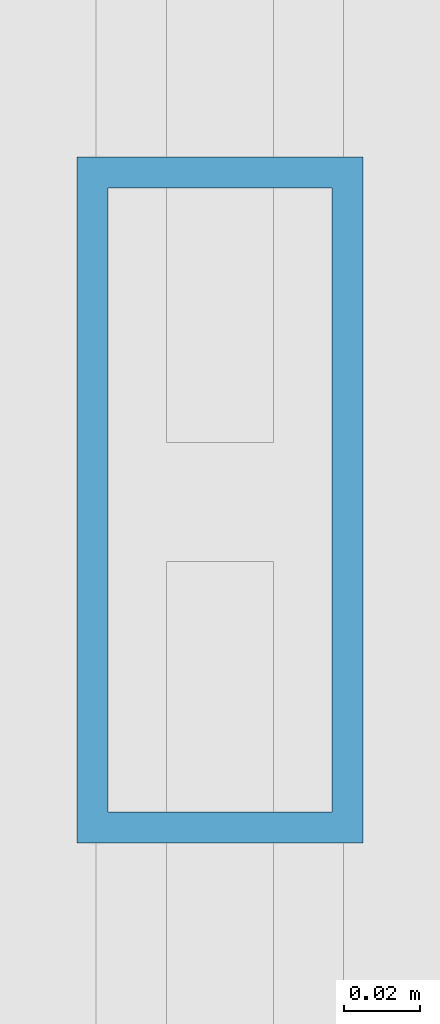
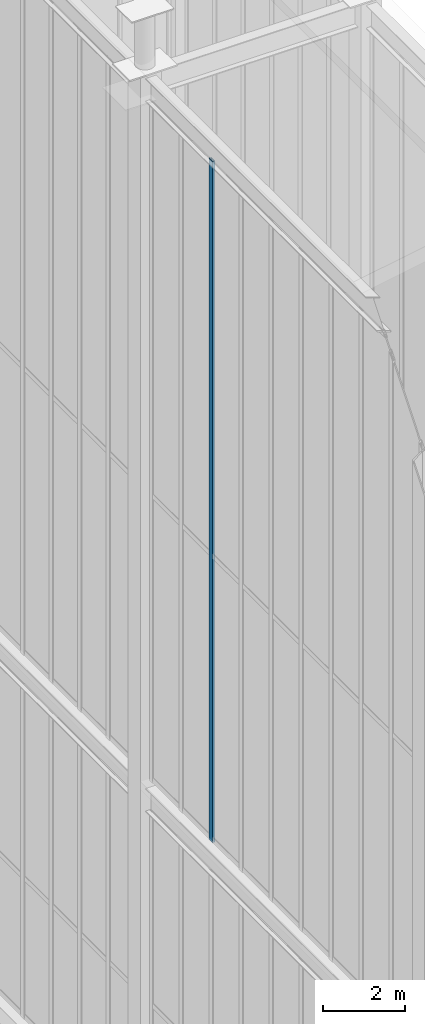
# One storey, part 67 of 135: 1 member, 1 element without a shape of its own.
"""IFC4 building model written with IfcOpenShell, lengths in metres."""

import ifcopenshell
import ifcopenshell.guid

model = None  # the IFC model being written
_history = None  # IfcOwnerHistory: only IFC2X3 demands one
_inside = {}  # id of a spatial element -> (the spatial element, [elements in it])
_under = {}  # id of a project, library or spatial element -> (it, [spatial elements below it])
_declared = {}  # id of a project -> (the project, [libraries it declares])
_typed = {}  # id of a type object -> (the type object, [elements of that type])
_made_of = {}  # id of a material, layer set ... -> (it, [elements and type objects made of it])


def new_model(schema):
    """Start an empty IFC model of exactly this schema.

    Asked for "IFC4X3", IfcOpenShell would pick the latest addendum, in which some entities
    have other attributes; the version numbers below select the first issue.
    IFC2X3 requires an IfcOwnerHistory on every rooted entity: one is made here for all.
    """
    global model, _history
    if schema == "IFC4X3":
        model = ifcopenshell.file(schema_version=(4, 3, 0, 0))
    else:
        model = ifcopenshell.file(schema=schema)
    _inside.clear()
    _under.clear()
    _declared.clear()
    _typed.clear()
    _made_of.clear()
    _history = None
    if model.schema == "IFC2X3":
        org = make("IfcOrganization", Name="unknown")
        user = make(
            "IfcPersonAndOrganization",
            ThePerson=make("IfcPerson", FamilyName="unknown"),
            TheOrganization=org,
        )
        app = make(
            "IfcApplication",
            ApplicationDeveloper=org,
            Version="unknown",
            ApplicationFullName="unknown",
            ApplicationIdentifier="unknown",
        )
        _history = make(
            "IfcOwnerHistory",
            OwningUser=user,
            OwningApplication=app,
            ChangeAction="ADDED",
            CreationDate=0,
        )
    return model


def make(cls, **values):
    """One entity of the class cls with the attributes given. An attribute that is None is left unset."""
    return model.create_entity(
        cls, **{name: value for name, value in values.items() if value is not None}
    )


def rooted(cls, **values):
    """An entity with a GlobalId (a new one), such as an element, a storey or a relation."""
    return make(cls, GlobalId=ifcopenshell.guid.new(), OwnerHistory=_history, **values)


def si_unit(unit_type, name, prefix=None):
    """IfcSIUnit, for example si_unit("LENGTHUNIT", "METRE", prefix="MILLI")."""
    return make("IfcSIUnit", UnitType=unit_type, Prefix=prefix, Name=name)


def assignment(units):
    """IfcUnitAssignment: the units of a project."""
    return None if units is None else make("IfcUnitAssignment", Units=units)


def point(xyz):
    """IfcCartesianPoint."""
    return None if xyz is None else make("IfcCartesianPoint", Coordinates=xyz)


def direction(xyz):
    """IfcDirection."""
    return None if xyz is None else make("IfcDirection", DirectionRatios=xyz)


def frame(location, z_axis=None, x_axis=None):
    """IfcAxis2Placement3D, a coordinate frame: its origin and axes. An axis left out is left unset."""
    return make(
        "IfcAxis2Placement3D",
        Location=point(location),
        Axis=direction(z_axis),
        RefDirection=direction(x_axis),
    )


def frame_2d(location, x_axis=None):
    """IfcAxis2Placement2D, a coordinate frame in the plane: its origin and x axis."""
    return make(
        "IfcAxis2Placement2D", Location=point(location), RefDirection=direction(x_axis)
    )


def origin():
    """The frame at (0, 0, 0) with its axes left unset."""
    return frame((0.0, 0.0, 0.0))


def origin_2d():
    """The frame at (0, 0) in the plane with its x axis left unset."""
    return frame_2d((0.0, 0.0))


def place(relative_to, where):
    """IfcLocalPlacement: puts the frame where relative to a parent placement (None: the world)."""
    return make(
        "IfcLocalPlacement", PlacementRelTo=relative_to, RelativePlacement=where
    )


def context(
    kind, dimensions, precision=None, world=None, true_north=None, identifier=None
):
    """IfcGeometricRepresentationContext, for example the 3D "Model" context."""
    return make(
        "IfcGeometricRepresentationContext",
        ContextIdentifier=identifier,
        ContextType=kind,
        CoordinateSpaceDimension=dimensions,
        Precision=precision,
        WorldCoordinateSystem=world,
        TrueNorth=true_north,
    )


def subcontext(parent, identifier, kind, view, scale=None):
    """IfcGeometricRepresentationSubContext, for example "Body" below "Model"."""
    return make(
        "IfcGeometricRepresentationSubContext",
        ContextIdentifier=identifier,
        ContextType=kind,
        ParentContext=parent,
        TargetScale=scale,
        TargetView=view,
    )


def project(units=None, contexts=None):
    """IfcProject with its units and contexts."""
    return rooted(
        "IfcProject",
        Name="project",
        RepresentationContexts=contexts,
        UnitsInContext=assignment(units),
    )


def spatial(cls, under=None, at=None, **own):
    """A site, building, storey or space (cls), placed at a placement, below another one or the project."""
    s = rooted(cls, ObjectPlacement=at, **own)
    if under is not None:
        _under.setdefault(under.id(), (under, []))[1].append(s)
    return s


def profile(cls, at=None, kind="AREA", **sizes):
    """A parametric profile (cls). Its sizes go by their IFC names, for example OverallWidth=200.0."""
    return make(cls, ProfileType=kind, Position=at, **sizes)


def hollow_rectangle(**sizes):
    """IfcRectangleHollowProfileDef."""
    return profile("IfcRectangleHollowProfileDef", **sizes)


def extrude(swept, where, along, depth):
    """IfcExtrudedAreaSolid: the profile swept, set in the frame where, extruded along a direction by depth."""
    return make(
        "IfcExtrudedAreaSolid",
        SweptArea=swept,
        Position=where,
        ExtrudedDirection=direction(along),
        Depth=depth,
    )


def shape(context_of_items, identifier, shape_type, items):
    """IfcShapeRepresentation: the items that make up one representation, for example the "Body"."""
    return make(
        "IfcShapeRepresentation",
        ContextOfItems=context_of_items,
        RepresentationIdentifier=identifier,
        RepresentationType=shape_type,
        Items=items,
    )


def source(mapping_origin, context_of_items, identifier, shape_type, items):
    """IfcRepresentationMap: a shape defined once, which mapped items show again and again."""
    return make(
        "IfcRepresentationMap",
        MappingOrigin=mapping_origin,
        MappedRepresentation=shape(context_of_items, identifier, shape_type, items),
    )


def transform(
    local_origin,
    x_axis=None,
    y_axis=None,
    z_axis=None,
    scale=None,
    scale2=None,
    scale3=None,
    uniform=True,
):
    """IfcCartesianTransformationOperator3D, or its non-uniform kind. x_axis, y_axis, z_axis: its Axis1, 2, 3."""
    if uniform:
        return make(
            "IfcCartesianTransformationOperator3D",
            Axis1=direction(x_axis),
            Axis2=direction(y_axis),
            LocalOrigin=point(local_origin),
            Scale=scale,
            Axis3=direction(z_axis),
        )
    return make(
        "IfcCartesianTransformationOperator3DnonUniform",
        Axis1=direction(x_axis),
        Axis2=direction(y_axis),
        LocalOrigin=point(local_origin),
        Scale=scale,
        Axis3=direction(z_axis),
        Scale2=scale2,
        Scale3=scale3,
    )


def mapped(mapping_source, mapping_target):
    """IfcMappedItem: shows the shape of a source again, moved by a transform."""
    return make(
        "IfcMappedItem", MappingSource=mapping_source, MappingTarget=mapping_target
    )


def material(Name=None, Category=None):
    """IfcMaterial."""
    return make("IfcMaterial", Name=Name, Category=Category)


def layer(
    of_material, thickness, ventilated=None, Name=None, Category=None, Priority=None
):
    """IfcMaterialLayer: one layer of a wall or slab, of a material (None: an air gap)."""
    return make(
        "IfcMaterialLayer",
        Material=of_material,
        LayerThickness=thickness,
        IsVentilated=ventilated,
        Name=Name,
        Category=Category,
        Priority=Priority,
    )


def layer_set(layers, Name=None):
    """IfcMaterialLayerSet."""
    return make("IfcMaterialLayerSet", MaterialLayers=layers, LayerSetName=Name)


def material_profile(
    of_material, cross_section, Name=None, Category=None, Priority=None
):
    """IfcMaterialProfile: a cross section and its material."""
    return make(
        "IfcMaterialProfile",
        Name=Name,
        Material=of_material,
        Profile=cross_section,
        Priority=Priority,
        Category=Category,
    )


def profile_set(profiles, Name=None, composite=None):
    """IfcMaterialProfileSet."""
    return make(
        "IfcMaterialProfileSet",
        Name=Name,
        MaterialProfiles=profiles,
        CompositeProfile=composite,
    )


def made_of(thing, what):
    """Note that an element or type object is made of a material, layer set ...; save() writes the relation."""
    if what is not None:
        _made_of.setdefault(what.id(), (what, []))[1].append(thing)
    return thing


def type_object(cls, material=None, **own):
    """A type object (cls), such as IfcWallType, which elements share."""
    return made_of(rooted(cls, **own), material)


def element(
    cls,
    number,
    at=None,
    inside=None,
    cuts=None,
    type_object=None,
    material=None,
    context=None,
    identifier="Body",
    shape_type=None,
    held_by="IfcProductDefinitionShape",
    body=None,
    shapes=None,
    **own,
):
    """One element of the class cls, such as IfcWall. Its Tag is "e" and its number.

    at: its placement. inside: the storey or other place that contains it. cuts: it is an
    opening in that element (IfcRelVoidsElement). A single representation is given by context,
    identifier, shape_type and body (its items); several are given by shapes. held_by: the class
    of the entity that holds the representations. save() writes the other relations.
    """
    e = rooted(cls, Tag="e%d" % number, ObjectPlacement=at, **own)
    if body is not None:
        shapes = [shape(context, identifier, shape_type, body)]
    if shapes is not None:
        e.Representation = make(held_by, Representations=shapes)
    if inside is not None:
        _inside.setdefault(inside.id(), (inside, []))[1].append(e)
    if cuts is not None:
        rooted(
            "IfcRelVoidsElement", RelatingBuildingElement=cuts, RelatedOpeningElement=e
        )
    if type_object is not None:
        _typed.setdefault(type_object.id(), (type_object, []))[1].append(e)
    return made_of(e, material)


def aggregate(whole, parts):
    """IfcRelAggregates: a whole, such as a stair, and the parts it consists of."""
    return rooted("IfcRelAggregates", RelatingObject=whole, RelatedObjects=parts)


def save(model, path):
    """Write the relations noted so far, then the file.

    IfcRelAggregates (storeys below a building ...), IfcRelContainedInSpatialStructure (elements
    in a storey), IfcRelDefinesByType, IfcRelAssociatesMaterial and IfcRelDeclares: one each for
    every whole, place, type object, material and project.
    """
    for whole, parts in _under.values():
        aggregate(whole, parts)
    for where, things in _inside.values():
        rooted(
            "IfcRelContainedInSpatialStructure",
            RelatedElements=things,
            RelatingStructure=where,
        )
    for kind, things in _typed.values():
        rooted("IfcRelDefinesByType", RelatedObjects=things, RelatingType=kind)
    for what, things in _made_of.values():
        rooted("IfcRelAssociatesMaterial", RelatedObjects=things, RelatingMaterial=what)
    for by, libraries in _declared.values():
        rooted("IfcRelDeclares", RelatingContext=by, RelatedDefinitions=libraries)
    model.write(path)


model = new_model("IFC4")

# Units and contexts
model_context = context("Model", 3, precision=1e-05, world=origin(), true_north=direction((0.0, 1.0)))
body_context = subcontext(model_context, "Body", "Model", "MODEL_VIEW")
ifc_project = project(units=[si_unit("LENGTHUNIT", "METRE"), si_unit("AREAUNIT", "SQUARE_METRE"), si_unit("VOLUMEUNIT", "CUBIC_METRE"), si_unit("PLANEANGLEUNIT", "RADIAN"), si_unit("MASSUNIT", "GRAM", prefix="KILO")], contexts=[model_context])

# Site, building, storey
site_placement = place(None, origin())
site = spatial("IfcSite", under=ifc_project, at=site_placement, CompositionType="ELEMENT")
building_placement = place(site_placement, origin())
building = spatial("IfcBuilding", under=site, at=building_placement, Name="Giltprow Tower", CompositionType="ELEMENT")
storey_placement = place(building_placement, frame((0.0, 0.0, 352.699951171875)))
storey = spatial("IfcBuildingStorey", under=building, at=storey_placement, Name="L92", CompositionType="ELEMENT", Elevation=352.699951171875)

# Curtain wall, member
ifc_material = material(Name="Anodized bronze", Category="metal")
ifc_layer = layer(ifc_material, 0.179931640625, Name="Anodized bronze")
ifc_layer_set = layer_set([ifc_layer], Name="Anodized bronze")
curtain_wall_type = type_object("IfcCurtainWallType", Name="CW-CROWN-LANTERN", PredefinedType="NOTDEFINED", material=ifc_layer_set)
curtain_wall_placement = place(storey_placement, origin())
curtain_wall = element("IfcCurtainWall", 1, at=curtain_wall_placement, inside=storey, type_object=curtain_wall_type, Name="Crown East Upper Lantern Glazing 6", PredefinedType="NOTDEFINED")
ifc_material_profile = material_profile(ifc_material, hollow_rectangle(XDim=0.074951171875, YDim=0.179931640625, WallThickness=0.008056640625, at=origin_2d()), Name="RHS 180x75x8")
ifc_profile_set = profile_set([ifc_material_profile], Name="Anodized bronze")
member_type = type_object("IfcMemberType", Name="CW-MULLION-180x75", PredefinedType="MULLION", material=ifc_profile_set)
shared_shape = source(origin(), body_context, "Body", "SweptSolid", [
    extrude(hollow_rectangle(XDim=0.074951171875, YDim=0.179931640625, WallThickness=0.008056640625, at=origin_2d()), origin(), (0.0, 0.0, 1.0), 20.406005859375),
])
member_placement = place(storey_placement, frame((44.300048828125, 34.156005859375, 17.25), z_axis=(0.0, 0.0, 1.0), x_axis=(1.0, 0.0, 0.0)))
member = element("IfcMember", 2, at=member_placement, type_object=member_type, Name="Crown East Upper Lantern Glazing 6 Mullion 3", PredefinedType="MULLION", context=body_context, shape_type="MappedRepresentation", body=[
    mapped(shared_shape, transform((0.0, 0.0, 0.0), x_axis=(1.0, 0.0, 0.0), y_axis=(0.0, 1.0, 0.0), z_axis=(0.0, 0.0, 1.0), scale=1.0)),
])
aggregate(curtain_wall, [member])

save(model, "model.ifc")
